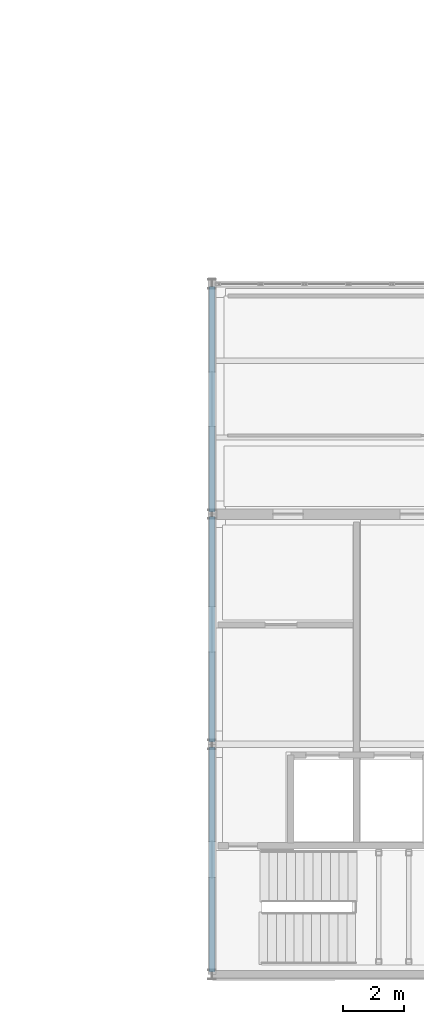
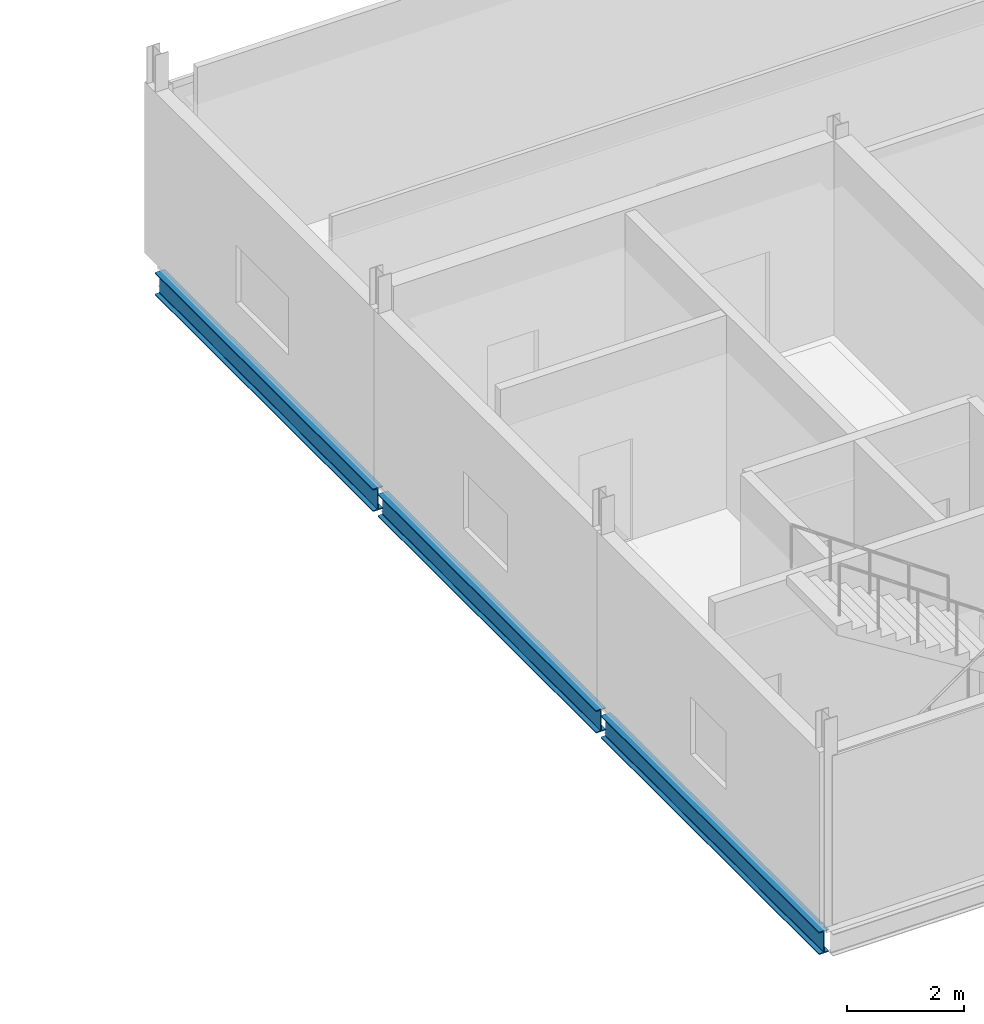
# One storey, part 3 of 24: 3 beams.
"""IFC4 building model written with IfcOpenShell, lengths in metres."""

from ifc_helpers import new_model, si_unit, direction, frame, origin, origin_2d, place, context, subcontext, project, spatial, i_section, extrude, material, material_profile, profile_set, type_object, element, save


model = new_model("IFC4")

# Units and contexts
model_context = context("Model", 3, precision=1e-05, world=origin(), true_north=direction((0.0, 1.0)))
body_context = subcontext(model_context, "Body", "Model", "MODEL_VIEW")
ifc_project = project(units=[si_unit("LENGTHUNIT", "METRE"), si_unit("AREAUNIT", "SQUARE_METRE"), si_unit("VOLUMEUNIT", "CUBIC_METRE"), si_unit("PLANEANGLEUNIT", "RADIAN"), si_unit("MASSUNIT", "GRAM", prefix="KILO")], contexts=[model_context])

# Site, building, storey
site_placement = place(None, origin())
site = spatial("IfcSite", under=ifc_project, at=site_placement, CompositionType="ELEMENT")
building_placement = place(site_placement, origin())
building = spatial("IfcBuilding", under=site, at=building_placement, Name="Caisbarro Railhouse Central Library", CompositionType="ELEMENT")
storey_placement = place(building_placement, frame((0.0, 0.0, 22.320068359375)))
storey = spatial("IfcBuildingStorey", under=building, at=storey_placement, Name="L05", CompositionType="ELEMENT", Elevation=22.320068359375)

# Beams
ifc_material = material(Name="Steel ASTM A572 Grade 50", Category="steel")
ifc_material_profile = material_profile(ifc_material, i_section(OverallWidth=0.194091796875, OverallDepth=0.468994140625, WebThickness=0.0126953125, FlangeThickness=0.0205078125, FilletRadius=0.01806640625, at=origin_2d()), Name="W460X106.0")
ifc_profile_set = profile_set([ifc_material_profile], Name="Steel ASTM A572 Grade 50")
beam_type = type_object("IfcBeamType", Name="BM-G07", PredefinedType="BEAM", material=ifc_profile_set)
beam_1_placement = place(storey_placement, frame((63.0, 0.080078125, -0.474609375), z_axis=(0.0, 1.0, 0.0), x_axis=(-1.0, 0.0, 0.0)))
element("IfcBeam", 1, at=beam_1_placement, inside=storey, type_object=beam_type, Name="G07 beam L05 #2190", PredefinedType="BEAM", context=body_context, shape_type="SweptSolid", body=[
    extrude(i_section(OverallWidth=0.194091796875, OverallDepth=0.468994140625, WebThickness=0.0126953125, FlangeThickness=0.0205078125, FilletRadius=0.01806640625, at=origin_2d()), origin(), (0.0, 0.0, 1.0), 7.43994140625),
])
beam_2_placement = place(storey_placement, frame((63.0, 7.679931640625, -0.474609375), z_axis=(0.0, 1.0, 0.0), x_axis=(-1.0, 0.0, 0.0)))
element("IfcBeam", 2, at=beam_2_placement, inside=storey, type_object=beam_type, Name="G07 beam L05 #2191", PredefinedType="BEAM", context=body_context, shape_type="SweptSolid", body=[
    extrude(i_section(OverallWidth=0.194091796875, OverallDepth=0.468994140625, WebThickness=0.0126953125, FlangeThickness=0.0205078125, FilletRadius=0.01806640625, at=origin_2d()), origin(), (0.0, 0.0, 1.0), 7.440185546875),
])
beam_3_placement = place(storey_placement, frame((63.0, 15.280029296875, -0.474609375), z_axis=(0.0, 1.0, 0.0), x_axis=(-1.0, 0.0, 0.0)))
element("IfcBeam", 3, at=beam_3_placement, inside=storey, type_object=beam_type, Name="G07 beam L05 #2192", PredefinedType="BEAM", context=body_context, shape_type="SweptSolid", body=[
    extrude(i_section(OverallWidth=0.194091796875, OverallDepth=0.468994140625, WebThickness=0.0126953125, FlangeThickness=0.0205078125, FilletRadius=0.01806640625, at=origin_2d()), origin(), (0.0, 0.0, 1.0), 7.43994140625),
])

save(model, "model.ifc")
